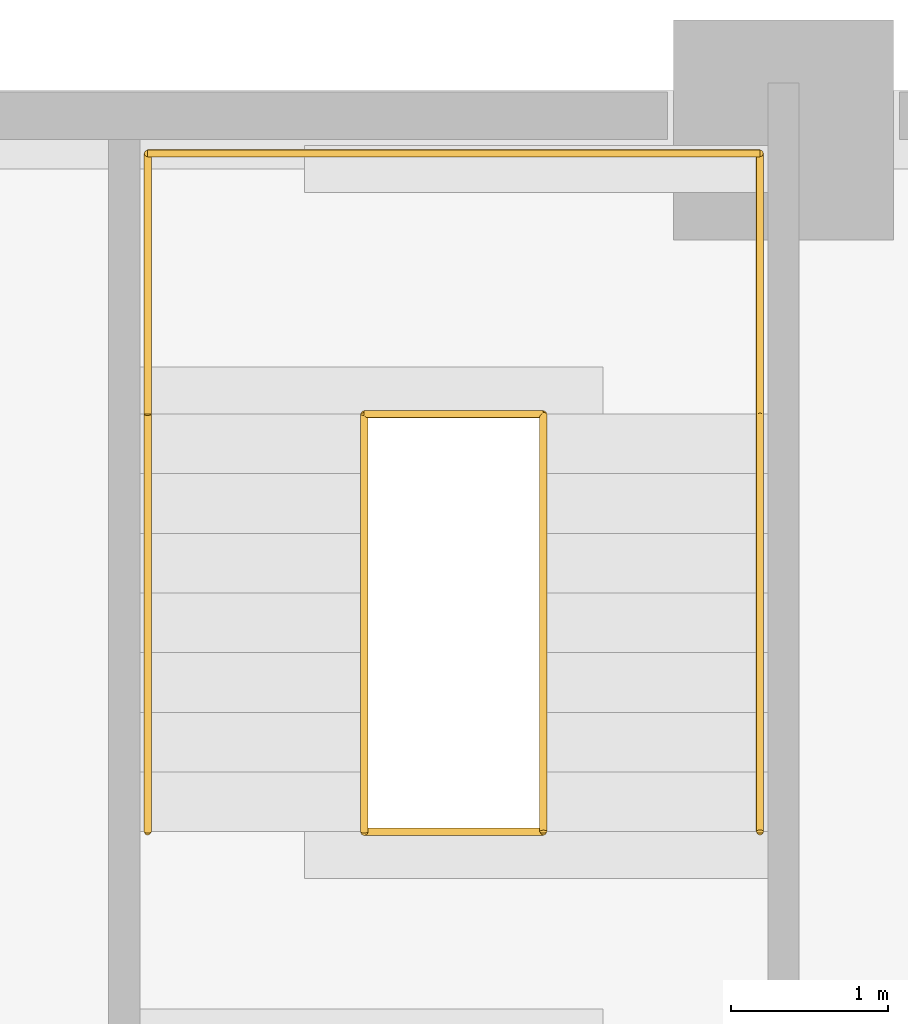
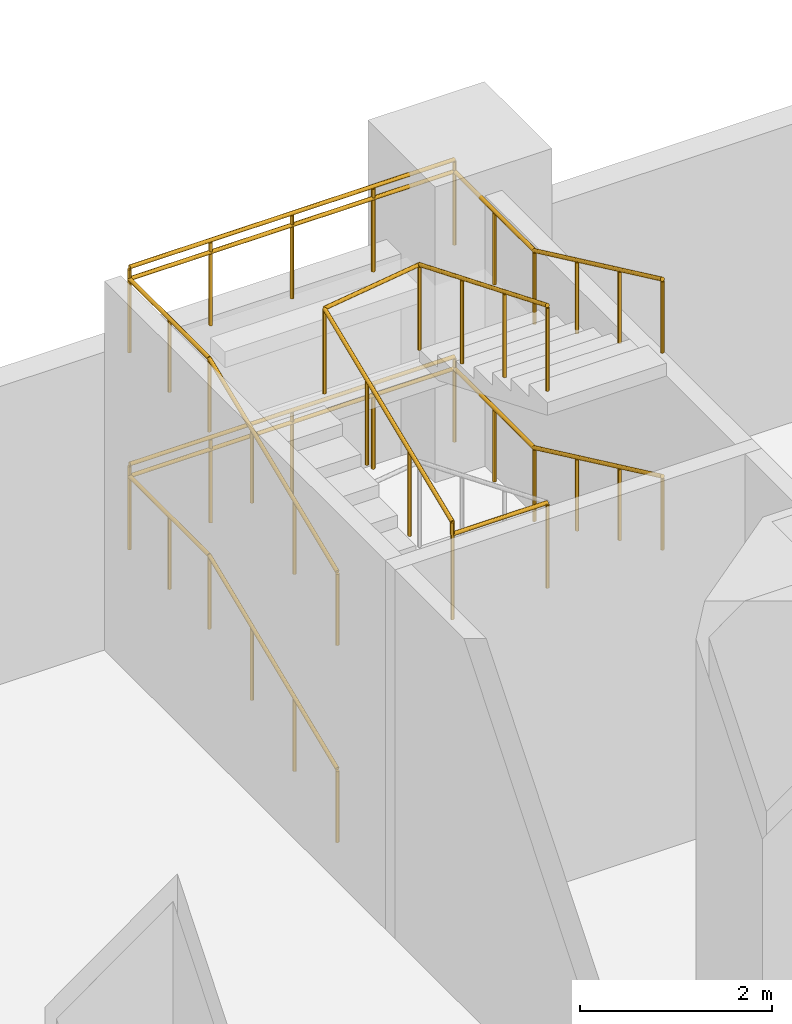
# One storey, part 24 of 24: 5 railings.
"""IFC4 building model written with IfcOpenShell, lengths in metres."""

import ifcopenshell
import ifcopenshell.guid

model = None  # the IFC model being written
_history = None  # IfcOwnerHistory: only IFC2X3 demands one
_inside = {}  # id of a spatial element -> (the spatial element, [elements in it])
_under = {}  # id of a project, library or spatial element -> (it, [spatial elements below it])
_declared = {}  # id of a project -> (the project, [libraries it declares])
_typed = {}  # id of a type object -> (the type object, [elements of that type])
_made_of = {}  # id of a material, layer set ... -> (it, [elements and type objects made of it])


def new_model(schema):
    """Start an empty IFC model of exactly this schema.

    Asked for "IFC4X3", IfcOpenShell would pick the latest addendum, in which some entities
    have other attributes; the version numbers below select the first issue.
    IFC2X3 requires an IfcOwnerHistory on every rooted entity: one is made here for all.
    """
    global model, _history
    if schema == "IFC4X3":
        model = ifcopenshell.file(schema_version=(4, 3, 0, 0))
    else:
        model = ifcopenshell.file(schema=schema)
    _inside.clear()
    _under.clear()
    _declared.clear()
    _typed.clear()
    _made_of.clear()
    _history = None
    if model.schema == "IFC2X3":
        org = make("IfcOrganization", Name="unknown")
        user = make(
            "IfcPersonAndOrganization",
            ThePerson=make("IfcPerson", FamilyName="unknown"),
            TheOrganization=org,
        )
        app = make(
            "IfcApplication",
            ApplicationDeveloper=org,
            Version="unknown",
            ApplicationFullName="unknown",
            ApplicationIdentifier="unknown",
        )
        _history = make(
            "IfcOwnerHistory",
            OwningUser=user,
            OwningApplication=app,
            ChangeAction="ADDED",
            CreationDate=0,
        )
    return model


def make(cls, **values):
    """One entity of the class cls with the attributes given. An attribute that is None is left unset."""
    return model.create_entity(
        cls, **{name: value for name, value in values.items() if value is not None}
    )


def rooted(cls, **values):
    """An entity with a GlobalId (a new one), such as an element, a storey or a relation."""
    return make(cls, GlobalId=ifcopenshell.guid.new(), OwnerHistory=_history, **values)


def si_unit(unit_type, name, prefix=None):
    """IfcSIUnit, for example si_unit("LENGTHUNIT", "METRE", prefix="MILLI")."""
    return make("IfcSIUnit", UnitType=unit_type, Prefix=prefix, Name=name)


def assignment(units):
    """IfcUnitAssignment: the units of a project."""
    return None if units is None else make("IfcUnitAssignment", Units=units)


def point(xyz):
    """IfcCartesianPoint."""
    return None if xyz is None else make("IfcCartesianPoint", Coordinates=xyz)


def direction(xyz):
    """IfcDirection."""
    return None if xyz is None else make("IfcDirection", DirectionRatios=xyz)


def frame(location, z_axis=None, x_axis=None):
    """IfcAxis2Placement3D, a coordinate frame: its origin and axes. An axis left out is left unset."""
    return make(
        "IfcAxis2Placement3D",
        Location=point(location),
        Axis=direction(z_axis),
        RefDirection=direction(x_axis),
    )


def frame_2d(location, x_axis=None):
    """IfcAxis2Placement2D, a coordinate frame in the plane: its origin and x axis."""
    return make(
        "IfcAxis2Placement2D", Location=point(location), RefDirection=direction(x_axis)
    )


def origin():
    """The frame at (0, 0, 0) with its axes left unset."""
    return frame((0.0, 0.0, 0.0))


def origin_2d():
    """The frame at (0, 0) in the plane with its x axis left unset."""
    return frame_2d((0.0, 0.0))


def place(relative_to, where):
    """IfcLocalPlacement: puts the frame where relative to a parent placement (None: the world)."""
    return make(
        "IfcLocalPlacement", PlacementRelTo=relative_to, RelativePlacement=where
    )


def context(
    kind, dimensions, precision=None, world=None, true_north=None, identifier=None
):
    """IfcGeometricRepresentationContext, for example the 3D "Model" context."""
    return make(
        "IfcGeometricRepresentationContext",
        ContextIdentifier=identifier,
        ContextType=kind,
        CoordinateSpaceDimension=dimensions,
        Precision=precision,
        WorldCoordinateSystem=world,
        TrueNorth=true_north,
    )


def subcontext(parent, identifier, kind, view, scale=None):
    """IfcGeometricRepresentationSubContext, for example "Body" below "Model"."""
    return make(
        "IfcGeometricRepresentationSubContext",
        ContextIdentifier=identifier,
        ContextType=kind,
        ParentContext=parent,
        TargetScale=scale,
        TargetView=view,
    )


def project(units=None, contexts=None):
    """IfcProject with its units and contexts."""
    return rooted(
        "IfcProject",
        Name="project",
        RepresentationContexts=contexts,
        UnitsInContext=assignment(units),
    )


def spatial(cls, under=None, at=None, **own):
    """A site, building, storey or space (cls), placed at a placement, below another one or the project."""
    s = rooted(cls, ObjectPlacement=at, **own)
    if under is not None:
        _under.setdefault(under.id(), (under, []))[1].append(s)
    return s


def profile(cls, at=None, kind="AREA", **sizes):
    """A parametric profile (cls). Its sizes go by their IFC names, for example OverallWidth=200.0."""
    return make(cls, ProfileType=kind, Position=at, **sizes)


def circle(**sizes):
    """IfcCircleProfileDef."""
    return profile("IfcCircleProfileDef", **sizes)


def extrude(swept, where, along, depth):
    """IfcExtrudedAreaSolid: the profile swept, set in the frame where, extruded along a direction by depth."""
    return make(
        "IfcExtrudedAreaSolid",
        SweptArea=swept,
        Position=where,
        ExtrudedDirection=direction(along),
        Depth=depth,
    )


def shape(context_of_items, identifier, shape_type, items):
    """IfcShapeRepresentation: the items that make up one representation, for example the "Body"."""
    return make(
        "IfcShapeRepresentation",
        ContextOfItems=context_of_items,
        RepresentationIdentifier=identifier,
        RepresentationType=shape_type,
        Items=items,
    )


def material(Name=None, Category=None):
    """IfcMaterial."""
    return make("IfcMaterial", Name=Name, Category=Category)


def made_of(thing, what):
    """Note that an element or type object is made of a material, layer set ...; save() writes the relation."""
    if what is not None:
        _made_of.setdefault(what.id(), (what, []))[1].append(thing)
    return thing


def type_object(cls, material=None, **own):
    """A type object (cls), such as IfcWallType, which elements share."""
    return made_of(rooted(cls, **own), material)


def element(
    cls,
    number,
    at=None,
    inside=None,
    cuts=None,
    type_object=None,
    material=None,
    context=None,
    identifier="Body",
    shape_type=None,
    held_by="IfcProductDefinitionShape",
    body=None,
    shapes=None,
    **own,
):
    """One element of the class cls, such as IfcWall. Its Tag is "e" and its number.

    at: its placement. inside: the storey or other place that contains it. cuts: it is an
    opening in that element (IfcRelVoidsElement). A single representation is given by context,
    identifier, shape_type and body (its items); several are given by shapes. held_by: the class
    of the entity that holds the representations. save() writes the other relations.
    """
    e = rooted(cls, Tag="e%d" % number, ObjectPlacement=at, **own)
    if body is not None:
        shapes = [shape(context, identifier, shape_type, body)]
    if shapes is not None:
        e.Representation = make(held_by, Representations=shapes)
    if inside is not None:
        _inside.setdefault(inside.id(), (inside, []))[1].append(e)
    if cuts is not None:
        rooted(
            "IfcRelVoidsElement", RelatingBuildingElement=cuts, RelatedOpeningElement=e
        )
    if type_object is not None:
        _typed.setdefault(type_object.id(), (type_object, []))[1].append(e)
    return made_of(e, material)


def aggregate(whole, parts):
    """IfcRelAggregates: a whole, such as a stair, and the parts it consists of."""
    return rooted("IfcRelAggregates", RelatingObject=whole, RelatedObjects=parts)


def save(model, path):
    """Write the relations noted so far, then the file.

    IfcRelAggregates (storeys below a building ...), IfcRelContainedInSpatialStructure (elements
    in a storey), IfcRelDefinesByType, IfcRelAssociatesMaterial and IfcRelDeclares: one each for
    every whole, place, type object, material and project.
    """
    for whole, parts in _under.values():
        aggregate(whole, parts)
    for where, things in _inside.values():
        rooted(
            "IfcRelContainedInSpatialStructure",
            RelatedElements=things,
            RelatingStructure=where,
        )
    for kind, things in _typed.values():
        rooted("IfcRelDefinesByType", RelatedObjects=things, RelatingType=kind)
    for what, things in _made_of.values():
        rooted("IfcRelAssociatesMaterial", RelatedObjects=things, RelatingMaterial=what)
    for by, libraries in _declared.values():
        rooted("IfcRelDeclares", RelatingContext=by, RelatedDefinitions=libraries)
    model.write(path)


model = new_model("IFC4")

# Units and contexts
model_context = context("Model", 3, precision=1e-05, world=origin(), true_north=direction((0.0, 1.0)))
body_context = subcontext(model_context, "Body", "Model", "MODEL_VIEW")
ifc_project = project(units=[si_unit("LENGTHUNIT", "METRE"), si_unit("AREAUNIT", "SQUARE_METRE"), si_unit("VOLUMEUNIT", "CUBIC_METRE"), si_unit("PLANEANGLEUNIT", "RADIAN"), si_unit("MASSUNIT", "GRAM", prefix="KILO")], contexts=[model_context])

# Site, building, storey
site_placement = place(None, origin())
site = spatial("IfcSite", under=ifc_project, at=site_placement, CompositionType="ELEMENT")
building_placement = place(site_placement, origin())
building = spatial("IfcBuilding", under=site, at=building_placement, Name="Marenta Gate Hotel Tower", CompositionType="ELEMENT")
storey_placement = place(building_placement, frame((0.0, 0.0, 8.0)))
storey = spatial("IfcBuildingStorey", under=building, at=storey_placement, Name="L01", CompositionType="ELEMENT", Elevation=8.0)

# Railings
ifc_material_1 = material(Name="Stainless steel", Category="steel")
railing_type_1 = type_object("IfcRailingType", Name="Core stair handrail 950", PredefinedType="HANDRAIL", material=ifc_material_1)
railing_1_placement = place(storey_placement, frame((16.949951171875, 37.530029296875, 0.15625)))
element("IfcRailing", 1, at=railing_1_placement, inside=storey, type_object=railing_type_1, Name="HR-950 L01-KR-PX4-2", PredefinedType="HANDRAIL", context=body_context, shape_type="SweptSolid", body=[
    extrude(circle(Radius=0.02392578125, at=origin_2d()), frame((0.0, 0.0, 0.92578125), z_axis=(0.0, 0.924862585091, 0.38030145766), x_axis=(-1.0, 0.0, 0.0)), (0.0, 0.0, 1.0), 2.8759765625),
    extrude(circle(Radius=0.02392578125, at=origin_2d()), frame((0.0, 2.659912109375, 2.01953125), z_axis=(0.0, 1.0, 0.0), x_axis=(-1.0, 0.0, 0.0)), (0.0, 0.0, 1.0), 1.66015625),
    extrude(circle(Radius=0.02392578125, at=origin_2d()), frame((0.0, 4.320068359375, 2.01953125), z_axis=(1.0, 0.0, 0.0), x_axis=(0.0, 1.0, 0.0)), (0.0, 0.0, 1.0), 3.900146484375),
    extrude(circle(Radius=0.02392578125, at=origin_2d()), frame((3.900146484375, 4.320068359375, 2.01953125), z_axis=(0.0, -1.0, 0.0), x_axis=(1.0, 0.0, 0.0)), (0.0, 0.0, 1.0), 1.66015625),
    extrude(circle(Radius=0.02392578125, at=origin_2d()), frame((3.900146484375, 2.659912109375, 2.01953125), z_axis=(0.0, -0.905044486808, 0.425316913488), x_axis=(1.0, 0.0, 0.0)), (0.0, 0.0, 1.0), 2.93896484375),
    extrude(circle(Radius=0.02099609375, at=origin_2d()), origin(), (0.0, 0.0, 1.0), 0.90185546875),
    extrude(circle(Radius=0.02099609375, at=origin_2d()), frame((0.0, 0.88671875, 0.364501953125)), (0.0, 0.0, 1.0), 0.90185546875),
    extrude(circle(Radius=0.02099609375, at=origin_2d()), frame((0.0, 1.773193359375, 0.729248046875)), (0.0, 0.0, 1.0), 0.90185546875),
    extrude(circle(Radius=0.02099609375, at=origin_2d()), frame((0.0, 2.659912109375, 1.09375)), (0.0, 0.0, 1.0), 0.90185546875),
    extrude(circle(Radius=0.02099609375, at=origin_2d()), frame((0.0, 3.489990234375, 1.09375)), (0.0, 0.0, 1.0), 0.90185546875),
    extrude(circle(Radius=0.02099609375, at=origin_2d()), frame((0.0, 4.320068359375, 1.09375)), (0.0, 0.0, 1.0), 0.90185546875),
    extrude(circle(Radius=0.02099609375, at=origin_2d()), frame((0.97509765625, 4.320068359375, 1.09375)), (0.0, 0.0, 1.0), 0.90185546875),
    extrude(circle(Radius=0.02099609375, at=origin_2d()), frame((1.9501953125, 4.320068359375, 1.09375)), (0.0, 0.0, 1.0), 0.90185546875),
    extrude(circle(Radius=0.02099609375, at=origin_2d()), frame((2.925048828125, 4.320068359375, 1.09375)), (0.0, 0.0, 1.0), 0.90185546875),
    extrude(circle(Radius=0.02099609375, at=origin_2d()), frame((3.900146484375, 4.320068359375, 1.09375)), (0.0, 0.0, 1.0), 0.90185546875),
    extrude(circle(Radius=0.02099609375, at=origin_2d()), frame((3.900146484375, 3.489990234375, 1.09375)), (0.0, 0.0, 1.0), 0.90185546875),
    extrude(circle(Radius=0.02099609375, at=origin_2d()), frame((3.900146484375, 2.659912109375, 1.09375)), (0.0, 0.0, 1.0), 0.90185546875),
    extrude(circle(Radius=0.02099609375, at=origin_2d()), frame((3.900146484375, 1.773193359375, 1.510498046875)), (0.0, 0.0, 1.0), 0.90185546875),
    extrude(circle(Radius=0.02099609375, at=origin_2d()), frame((3.900146484375, 0.88671875, 1.927001953125)), (0.0, 0.0, 1.0), 0.90185546875),
    extrude(circle(Radius=0.02099609375, at=origin_2d()), frame((3.900146484375, 0.0, 2.34375)), (0.0, 0.0, 1.0), 0.90185546875),
])
railing_2_placement = place(storey_placement, frame((16.949951171875, 37.530029296875, 2.65625)))
element("IfcRailing", 2, at=railing_2_placement, inside=storey, type_object=railing_type_1, Name="HR-950 L01-KR-PX4-5", PredefinedType="HANDRAIL", context=body_context, shape_type="SweptSolid", body=[
    extrude(circle(Radius=0.02392578125, at=origin_2d()), frame((0.0, 0.0, 0.92578125), z_axis=(0.0, 0.924862585091, 0.38030145766), x_axis=(-1.0, 0.0, 0.0)), (0.0, 0.0, 1.0), 2.8759765625),
    extrude(circle(Radius=0.02392578125, at=origin_2d()), frame((0.0, 2.659912109375, 2.01953125), z_axis=(0.0, 1.0, 0.0), x_axis=(-1.0, 0.0, 0.0)), (0.0, 0.0, 1.0), 1.66015625),
    extrude(circle(Radius=0.02392578125, at=origin_2d()), frame((0.0, 4.320068359375, 2.01953125), z_axis=(1.0, 0.0, 0.0), x_axis=(0.0, 1.0, 0.0)), (0.0, 0.0, 1.0), 3.900146484375),
    extrude(circle(Radius=0.02392578125, at=origin_2d()), frame((3.900146484375, 4.320068359375, 2.01953125), z_axis=(0.0, -1.0, 0.0), x_axis=(1.0, 0.0, 0.0)), (0.0, 0.0, 1.0), 1.66015625),
    extrude(circle(Radius=0.02392578125, at=origin_2d()), frame((3.900146484375, 2.659912109375, 2.01953125), z_axis=(0.0, -0.905044486808, 0.425316913488), x_axis=(1.0, 0.0, 0.0)), (0.0, 0.0, 1.0), 2.93896484375),
    extrude(circle(Radius=0.02099609375, at=origin_2d()), origin(), (0.0, 0.0, 1.0), 0.90185546875),
    extrude(circle(Radius=0.02099609375, at=origin_2d()), frame((0.0, 0.88671875, 0.364501953125)), (0.0, 0.0, 1.0), 0.90185546875),
    extrude(circle(Radius=0.02099609375, at=origin_2d()), frame((0.0, 1.773193359375, 0.729248046875)), (0.0, 0.0, 1.0), 0.90185546875),
    extrude(circle(Radius=0.02099609375, at=origin_2d()), frame((0.0, 2.659912109375, 1.09375)), (0.0, 0.0, 1.0), 0.90185546875),
    extrude(circle(Radius=0.02099609375, at=origin_2d()), frame((0.0, 3.489990234375, 1.09375)), (0.0, 0.0, 1.0), 0.90185546875),
    extrude(circle(Radius=0.02099609375, at=origin_2d()), frame((0.0, 4.320068359375, 1.09375)), (0.0, 0.0, 1.0), 0.90185546875),
    extrude(circle(Radius=0.02099609375, at=origin_2d()), frame((0.97509765625, 4.320068359375, 1.09375)), (0.0, 0.0, 1.0), 0.90185546875),
    extrude(circle(Radius=0.02099609375, at=origin_2d()), frame((1.9501953125, 4.320068359375, 1.09375)), (0.0, 0.0, 1.0), 0.90185546875),
    extrude(circle(Radius=0.02099609375, at=origin_2d()), frame((2.925048828125, 4.320068359375, 1.09375)), (0.0, 0.0, 1.0), 0.90185546875),
    extrude(circle(Radius=0.02099609375, at=origin_2d()), frame((3.900146484375, 4.320068359375, 1.09375)), (0.0, 0.0, 1.0), 0.90185546875),
    extrude(circle(Radius=0.02099609375, at=origin_2d()), frame((3.900146484375, 3.489990234375, 1.09375)), (0.0, 0.0, 1.0), 0.90185546875),
    extrude(circle(Radius=0.02099609375, at=origin_2d()), frame((3.900146484375, 2.659912109375, 1.09375)), (0.0, 0.0, 1.0), 0.90185546875),
    extrude(circle(Radius=0.02099609375, at=origin_2d()), frame((3.900146484375, 1.773193359375, 1.510498046875)), (0.0, 0.0, 1.0), 0.90185546875),
    extrude(circle(Radius=0.02099609375, at=origin_2d()), frame((3.900146484375, 0.88671875, 1.927001953125)), (0.0, 0.0, 1.0), 0.90185546875),
    extrude(circle(Radius=0.02099609375, at=origin_2d()), frame((3.900146484375, 0.0, 2.34375)), (0.0, 0.0, 1.0), 0.90185546875),
])
ifc_material_2 = material(Name="Stainless steel", Category="steel")
railing_type_2 = type_object("IfcRailingType", Name="Core stair well guard 1100", PredefinedType="GUARDRAIL", material=ifc_material_2)
for number, where, name in (
    (3, (16.949951171875, 41.85009765625, 1.25), "GR-1100 L01-KR-PX4-1"),
    (4, (16.949951171875, 41.85009765625, 3.75), "GR-1100 L01-KR-PX4-4"),
):
    element("IfcRailing", number, at=place(storey_placement, frame(where)), inside=storey, type_object=railing_type_2, Name=name, PredefinedType="GUARDRAIL", context=body_context, shape_type="SweptSolid", body=[
        extrude(circle(Radius=0.02392578125, at=origin_2d()), frame((0.0, 0.0, 1.076171875), z_axis=(1.0, 0.0, 0.0), x_axis=(0.0, 1.0, 0.0)), (0.0, 0.0, 1.0), 3.900146484375),
        extrude(circle(Radius=0.02099609375, at=origin_2d()), origin(), (0.0, 0.0, 1.0), 1.052001953125),
        extrude(circle(Radius=0.02099609375, at=origin_2d()), frame((0.97509765625, 0.0, 0.0)), (0.0, 0.0, 1.0), 1.052001953125),
        extrude(circle(Radius=0.02099609375, at=origin_2d()), frame((1.9501953125, 0.0, 0.0)), (0.0, 0.0, 1.0), 1.052001953125),
        extrude(circle(Radius=0.02099609375, at=origin_2d()), frame((2.925048828125, 0.0, 0.0)), (0.0, 0.0, 1.0), 1.052001953125),
        extrude(circle(Radius=0.02099609375, at=origin_2d()), frame((3.900146484375, 0.0, 0.0)), (0.0, 0.0, 1.0), 1.052001953125),
    ])
railing_3_placement = place(storey_placement, frame((19.469970703125, 37.530029296875, 2.5)))
element("IfcRailing", 5, at=railing_3_placement, inside=storey, type_object=railing_type_2, Name="GR-1100 L01-KR-PX4-6", PredefinedType="GUARDRAIL", context=body_context, shape_type="SweptSolid", body=[
    extrude(circle(Radius=0.02392578125, at=origin_2d()), frame((0.0, 0.0, 1.076171875), z_axis=(-1.0, 0.0, 0.0), x_axis=(0.0, -1.0, 0.0)), (0.0, 0.0, 1.0), 1.139892578125),
    extrude(circle(Radius=0.02392578125, at=origin_2d()), frame((-1.139892578125, 0.0, 1.076171875), z_axis=(0.0, 0.0, 1.0), x_axis=(1.0, 0.0, 0.0)), (0.0, 0.0, 1.0), 0.15625),
    extrude(circle(Radius=0.02392578125, at=origin_2d()), frame((-1.139892578125, 0.0, 1.232421875), z_axis=(0.0, 0.924862585091, 0.38030145766), x_axis=(-1.0, 0.0, 0.0)), (0.0, 0.0, 1.0), 2.8759765625),
    extrude(circle(Radius=0.02392578125, at=origin_2d()), frame((-1.139892578125, 2.659912109375, 2.326171875), z_axis=(0.990735666123, 0.0, 0.135804417717), x_axis=(0.0, 1.0, 0.0)), (0.0, 0.0, 1.0), 1.150634765625),
    extrude(circle(Radius=0.02392578125, at=origin_2d()), frame((0.0, 2.659912109375, 2.482421875), z_axis=(0.0, -0.924862585091, 0.38030145766), x_axis=(1.0, 0.0, 0.0)), (0.0, 0.0, 1.0), 2.8759765625),
    extrude(circle(Radius=0.02099609375, at=origin_2d()), origin(), (0.0, 0.0, 1.0), 1.052001953125),
    extrude(circle(Radius=0.02099609375, at=origin_2d()), frame((-1.139892578125, 0.0, 0.0)), (0.0, 0.0, 1.0), 1.052001953125),
    extrude(circle(Radius=0.02099609375, at=origin_2d()), frame((-1.139892578125, 0.0, 0.15625)), (0.0, 0.0, 1.0), 1.052001953125),
    extrude(circle(Radius=0.02099609375, at=origin_2d()), frame((-1.139892578125, 0.88671875, 0.520751953125)), (0.0, 0.0, 1.0), 1.052001953125),
    extrude(circle(Radius=0.02099609375, at=origin_2d()), frame((-1.139892578125, 1.773193359375, 0.885498046875)), (0.0, 0.0, 1.0), 1.052001953125),
    extrude(circle(Radius=0.02099609375, at=origin_2d()), frame((-1.139892578125, 2.659912109375, 1.25)), (0.0, 0.0, 1.0), 1.052001953125),
    extrude(circle(Radius=0.02099609375, at=origin_2d()), frame((0.0, 2.659912109375, 1.40625)), (0.0, 0.0, 1.0), 1.052001953125),
    extrude(circle(Radius=0.02099609375, at=origin_2d()), frame((0.0, 1.773193359375, 1.770751953125)), (0.0, 0.0, 1.0), 1.052001953125),
    extrude(circle(Radius=0.02099609375, at=origin_2d()), frame((0.0, 0.88671875, 2.135498046875)), (0.0, 0.0, 1.0), 1.052001953125),
    extrude(circle(Radius=0.02099609375, at=origin_2d()), frame((0.0, 0.0, 2.5)), (0.0, 0.0, 1.0), 1.052001953125),
])

save(model, "model.ifc")
